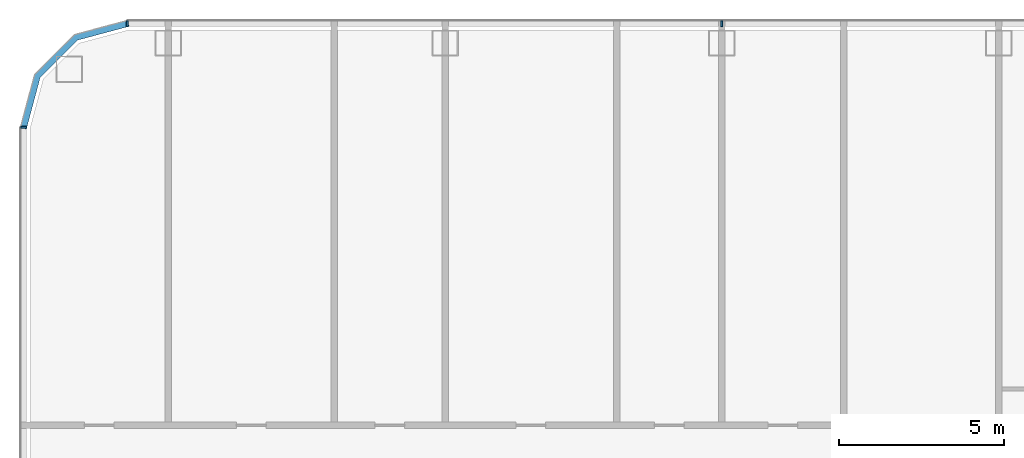
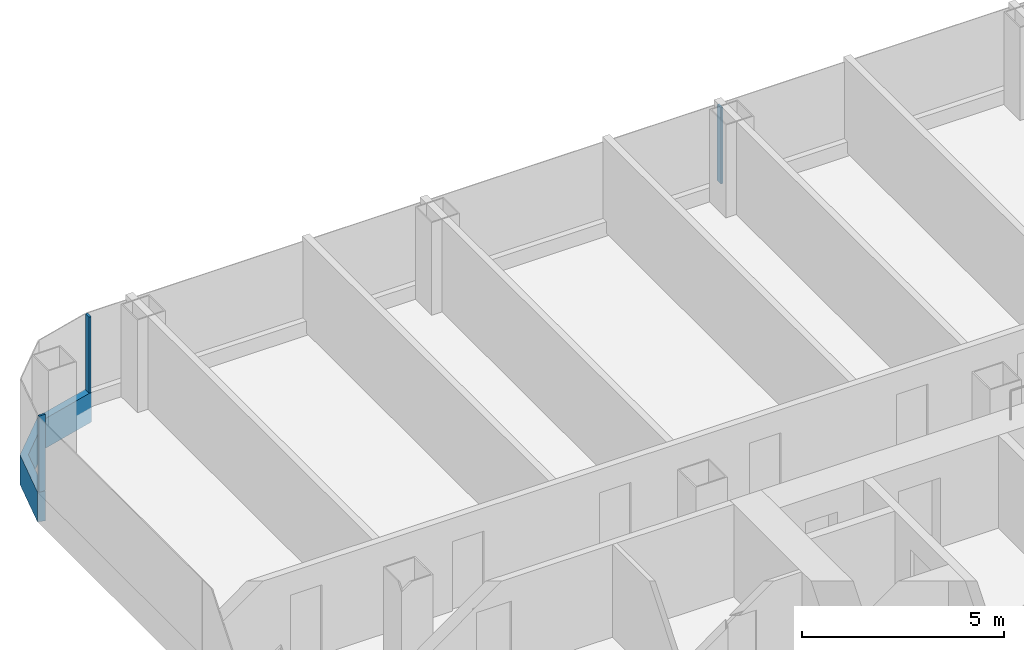
# One storey, part 7 of 29: 4 members, 3 elements without a shape of their own.
"""IFC4 building model written with IfcOpenShell, lengths in metres."""

from ifc_helpers import new_model, si_unit, direction, frame, origin, origin_2d, place, context, subcontext, project, spatial, polyline, rectangle, outline, extrude, material, layer, layer_set, material_profile, profile_set, type_object, element, aggregate, save


model = new_model("IFC4")

# Units and contexts
model_context = context("Model", 3, precision=1e-05, world=origin(), true_north=direction((0.0, 1.0)))
body_context = subcontext(model_context, "Body", "Model", "MODEL_VIEW")
ifc_project = project(units=[si_unit("LENGTHUNIT", "METRE"), si_unit("AREAUNIT", "SQUARE_METRE"), si_unit("VOLUMEUNIT", "CUBIC_METRE"), si_unit("PLANEANGLEUNIT", "RADIAN"), si_unit("MASSUNIT", "GRAM", prefix="KILO")], contexts=[model_context])

# Site, building, storey
site_placement = place(None, origin())
site = spatial("IfcSite", under=ifc_project, at=site_placement, CompositionType="ELEMENT")
building_placement = place(site_placement, origin())
building = spatial("IfcBuilding", under=site, at=building_placement, Name="Hakoniwa Tower and Hamabe Station Hall", CompositionType="ELEMENT")
storey_placement = place(building_placement, frame((0.0, 0.0, 85.0)))
storey = spatial("IfcBuildingStorey", under=building, at=storey_placement, Name="L23", CompositionType="ELEMENT", Elevation=85.0)

# Curtain wall, member
ifc_material_1 = material(Name="Dark low-e laminated glass", Category="glass")
ifc_layer = layer(ifc_material_1, 0.199951171875)
ifc_layer_set = layer_set([ifc_layer], Name="CW-1 UNITISED GUEST")
curtain_wall_type = type_object("IfcCurtainWallType", Name="CW-1 UNITISED GUEST", PredefinedType="NOTDEFINED", material=ifc_layer_set)
curtain_wall_1_placement = place(storey_placement, origin())
curtain_wall_1 = element("IfcCurtainWall", 1, at=curtain_wall_1_placement, inside=storey, type_object=curtain_wall_type, Name="CW-1 curtain wall", PredefinedType="NOTDEFINED")
ifc_material_2 = material(Name="Aluminium 6063-T5 black anodised", Category="aluminium")
ifc_material_profile_1 = material_profile(ifc_material_2, rectangle(XDim=0.199951171875, YDim=0.89990234375, at=origin_2d()), Name="CW SLAB-EDGE BAND 900X200")
ifc_profile_set_1 = profile_set([ifc_material_profile_1], Name="Aluminium 6063-T5 black anodised")
member_type_1 = type_object("IfcMemberType", Name="CW SLAB-EDGE BAND 900X200", PredefinedType="USERDEFINED", material=ifc_profile_set_1)
member_1_placement = place(storey_placement, frame((0.0, 0.0, -0.550048828125)))
member_1 = element("IfcMember", 2, at=member_1_placement, type_object=member_type_1, Name="CW-1 transom", ObjectType="TRANSOM", PredefinedType="USERDEFINED", context=body_context, shape_type="SweptSolid", body=[
    extrude(outline(polyline([(-43.239501953125, 23.550048828125), (-44.855224609375, 23.116943359375), (-46.067138671875, 21.9052734375), (-46.5, 20.28955078125), (-46.306884765625, 20.23779296875), (-45.8876953125, 21.8017578125), (-44.751708984375, 22.937744140625), (-43.187744140625, 23.35693359375), (-43.239501953125, 23.550048828125)])), origin(), (0.0, 0.0, 1.0), 0.900146484375),
])
aggregate(curtain_wall_1, [member_1])

# Curtain wall, members
curtain_wall_2_placement = place(storey_placement, origin())
curtain_wall_2 = element("IfcCurtainWall", 3, at=curtain_wall_2_placement, inside=storey, type_object=curtain_wall_type, Name="CW-1 curtain wall", PredefinedType="NOTDEFINED")
ifc_material_3 = material(Name="Aluminium 6063-T5 black anodised", Category="aluminium")
ifc_material_profile_2 = material_profile(ifc_material_3, rectangle(XDim=0.06005859375, YDim=0.179931640625, at=origin_2d()), Name="CW-1 MULLION 60X180")
ifc_profile_set_2 = profile_set([ifc_material_profile_2], Name="Aluminium 6063-T5 black anodised")
member_type_2 = type_object("IfcMemberType", Name="CW-1 MULLION 60X180", PredefinedType="MULLION", material=ifc_profile_set_2)
member_2_placement = place(storey_placement, frame((-25.199951171875, 23.431884765625, 0.35009765625), z_axis=(0.0, 0.0, 1.0), x_axis=(-1.0, 0.0, 0.0)))
member_2 = element("IfcMember", 4, at=member_2_placement, type_object=member_type_2, Name="CW-1 mullion", PredefinedType="MULLION", context=body_context, shape_type="SweptSolid", body=[
    extrude(rectangle(XDim=0.06005859375, YDim=0.179931640625, at=origin_2d()), origin(), (0.0, 0.0, 1.0), 2.2998046875),
])
member_3_placement = place(storey_placement, frame((-43.239501953125, 23.431884765625, 0.35009765625), z_axis=(0.0, 0.0, 1.0), x_axis=(-1.0, 0.0, 0.0)))
member_3 = element("IfcMember", 5, at=member_3_placement, type_object=member_type_2, Name="CW-1 mullion", PredefinedType="MULLION", context=body_context, shape_type="SweptSolid", body=[
    extrude(rectangle(XDim=0.06005859375, YDim=0.179931640625, at=origin_2d()), origin(), (0.0, 0.0, 1.0), 2.2998046875),
])
aggregate(curtain_wall_2, [member_2, member_3])

# Curtain wall, member
curtain_wall_3_placement = place(storey_placement, origin())
curtain_wall_3 = element("IfcCurtainWall", 6, at=curtain_wall_3_placement, inside=storey, type_object=curtain_wall_type, Name="CW-1 curtain wall", PredefinedType="NOTDEFINED")
member_4_placement = place(storey_placement, frame((-46.382080078125, 20.28955078125, 0.35009765625), z_axis=(0.0, 0.0, 1.0), x_axis=(0.0, -1.0, 0.0)))
member_4 = element("IfcMember", 7, at=member_4_placement, type_object=member_type_2, Name="CW-1 mullion", PredefinedType="MULLION", context=body_context, shape_type="SweptSolid", body=[
    extrude(rectangle(XDim=0.06005859375, YDim=0.179931640625, at=origin_2d()), origin(), (0.0, 0.0, 1.0), 2.2998046875),
])
aggregate(curtain_wall_3, [member_4])

save(model, "model.ifc")
